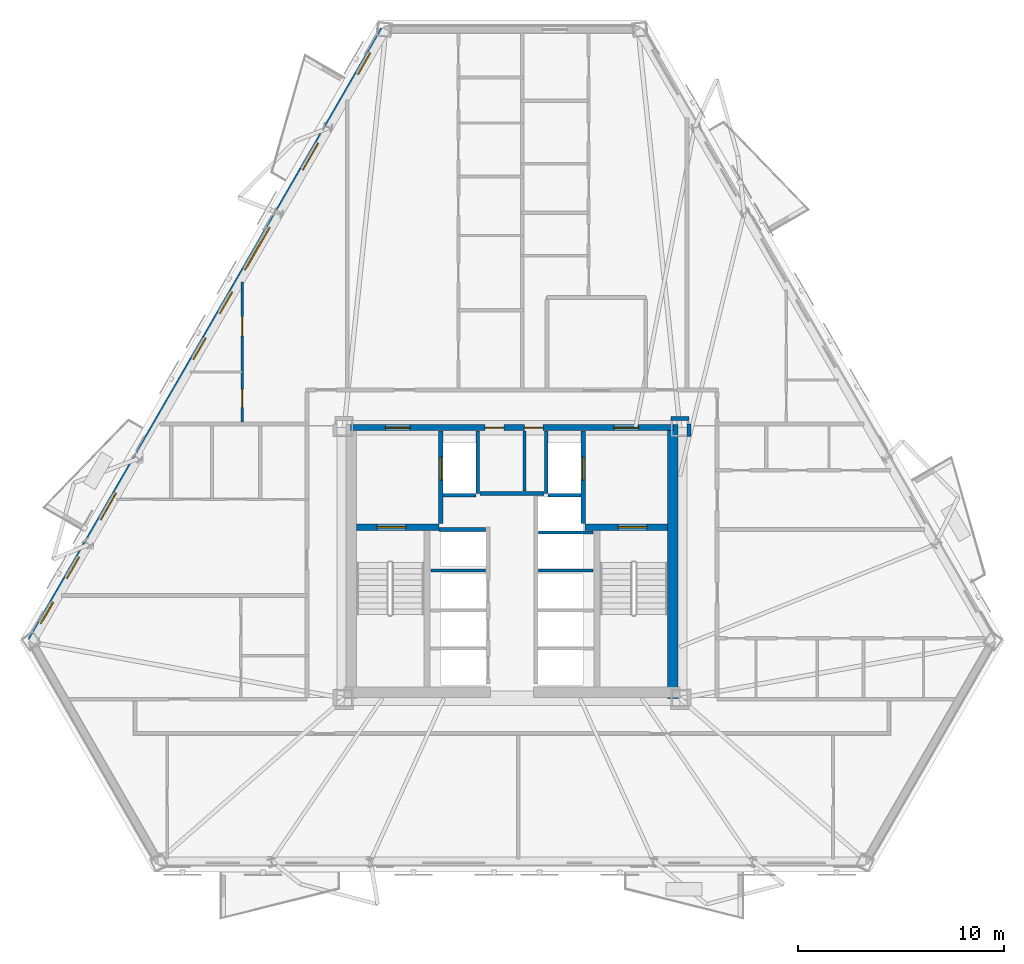
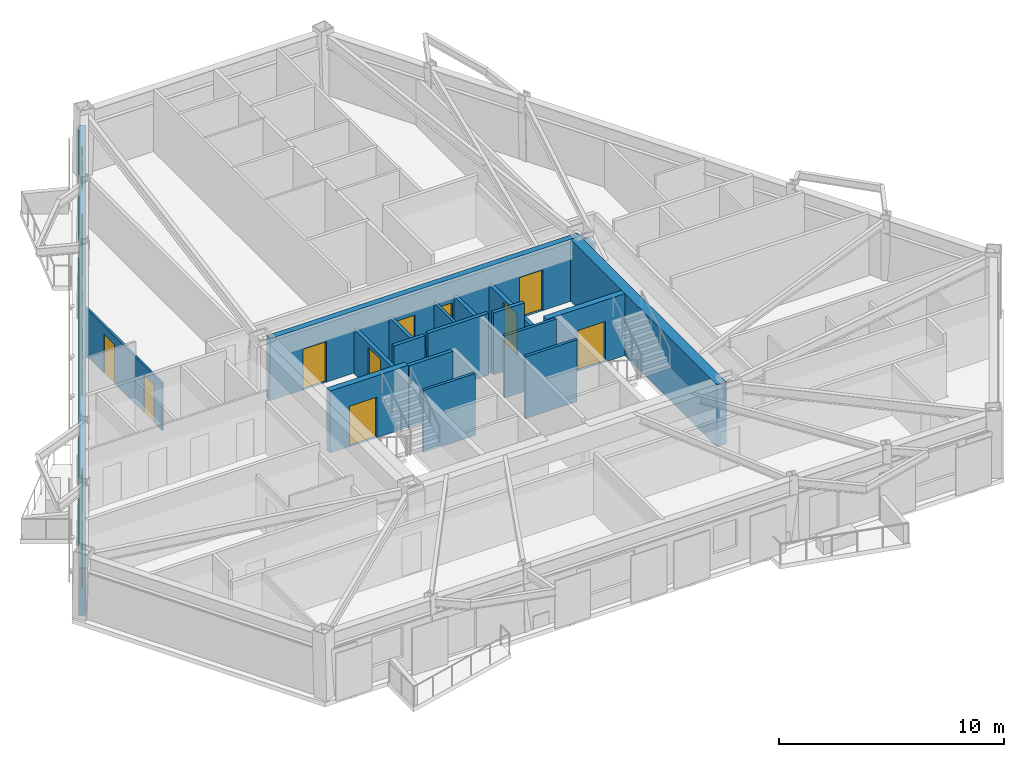
# One storey, part 4 of 11: 20 walls, 12 doors, 6 windows, 18 openings.
"""IFC4 building model written with IfcOpenShell, lengths in metres."""

from ifc_helpers import new_model, si_unit, direction, frame, frame_2d, origin, place, context, subcontext, project, spatial, rectangle, extrude, material, layer, layer_set, type_object, element, fill, save


model = new_model("IFC4")

# Units and contexts
model_context = context("Model", 3, precision=1e-05, world=origin(), true_north=direction((0.0, 1.0)))
body_context = subcontext(model_context, "Body", "Model", "MODEL_VIEW")
ifc_project = project(units=[si_unit("LENGTHUNIT", "METRE"), si_unit("AREAUNIT", "SQUARE_METRE"), si_unit("VOLUMEUNIT", "CUBIC_METRE"), si_unit("PLANEANGLEUNIT", "RADIAN"), si_unit("MASSUNIT", "GRAM", prefix="KILO")], contexts=[model_context])

# Site, building, storey
site_placement = place(None, origin())
site = spatial("IfcSite", under=ifc_project, at=site_placement, CompositionType="ELEMENT")
building_placement = place(site_placement, origin())
building = spatial("IfcBuilding", under=site, at=building_placement, Name="Oramaril Tower", CompositionType="ELEMENT")
storey_placement = place(building_placement, frame((0.0, 0.0, 89.699951171875)))
storey = spatial("IfcBuildingStorey", under=building, at=storey_placement, Name="L23", CompositionType="ELEMENT", Elevation=89.699951171875)

# Wall, openings, doors, windows
ifc_material_1 = material(Name="Warm Cream Limestone", Category="masonry")
ifc_layer_1 = layer(ifc_material_1, 0.340087890625)
ifc_layer_set_1 = layer_set([ifc_layer_1], Name="WT-EXT34")
wall_type_1 = type_object("IfcWallType", Name="WT-EXT34", PredefinedType="SOLIDWALL", material=ifc_layer_set_1)
wall_1_placement = place(storey_placement, frame((31.277587890625, 43.48095703125, 0.0), z_axis=(0.0, 0.0, 1.0), x_axis=(-0.500004029544, -0.866023077313, 0.0)))
wall_1 = element("IfcWall", 1, at=wall_1_placement, inside=storey, type_object=wall_type_1, Name="L23 Tower Limestone Facade Wall 6M", PredefinedType="SOLIDWALL", context=body_context, shape_type="SweptSolid", body=[
    extrude(rectangle(XDim=34.274658203125, YDim=0.340087890625, at=frame_2d((17.13720703125, 0.0))), origin(), (0.0, 0.0, 1.0), 2.578125),
])
opening_1_placement = place(wall_1_placement, frame((6.369384765625, 0.0, 0.0)))
opening_1 = element("IfcOpeningElement", 2, at=opening_1_placement, cuts=wall_1, Name="Opening D-L23-BAL-NW1", PredefinedType="OPENING", context=body_context, shape_type="SweptSolid", body=[
    extrude(rectangle(XDim=1.5, YDim=2.199951171875, at=frame_2d((0.75, 1.10009765625))), frame((0.0, 0.169921875, 0.0), z_axis=(0.0, -1.0, 0.0), x_axis=(1.0, 0.0, 0.0)), (0.0, 0.0, 1.0), 0.340087890625),
])
opening_2_placement = place(wall_1_placement, frame((26.000244140625, 0.0, 0.0)))
opening_2 = element("IfcOpeningElement", 3, at=opening_2_placement, cuts=wall_1, Name="Opening D-L23-BAL-NW2", PredefinedType="OPENING", context=body_context, shape_type="SweptSolid", body=[
    extrude(rectangle(XDim=1.5, YDim=2.199951171875, at=frame_2d((0.75, 1.10009765625))), frame((0.0, 0.169921875, 0.0), z_axis=(0.0, -1.0, 0.0), x_axis=(1.0, 0.0, 0.0)), (0.0, 0.0, 1.0), 0.340087890625),
])
opening_3_placement = place(wall_1_placement, frame((32.11767578125, 0.0, 0.85009765625)))
opening_3 = element("IfcOpeningElement", 4, at=opening_3_placement, cuts=wall_1, Name="Opening WN-09", PredefinedType="OPENING", context=body_context, shape_type="SweptSolid", body=[
    extrude(rectangle(XDim=1.199951171875, YDim=1.47998046875, at=frame_2d((0.60009765625, 0.739990234375))), frame((0.0, 0.169921875, 0.0), z_axis=(0.0, -1.0, 0.0), x_axis=(1.0, 0.0, 0.0)), (0.0, 0.0, 1.0), 0.340087890625),
])
opening_4_placement = place(wall_1_placement, frame((29.585205078125, 0.0, 0.85009765625)))
opening_4 = element("IfcOpeningElement", 5, at=opening_4_placement, cuts=wall_1, Name="Opening WN-09", PredefinedType="OPENING", context=body_context, shape_type="SweptSolid", body=[
    extrude(rectangle(XDim=1.199951171875, YDim=1.47998046875, at=frame_2d((0.60009765625, 0.739990234375))), frame((0.0, 0.169921875, 0.0), z_axis=(0.0, -1.0, 0.0), x_axis=(1.0, 0.0, 0.0)), (0.0, 0.0, 1.0), 0.340087890625),
])
opening_5_placement = place(wall_1_placement, frame((11.0966796875, 0.0, 0.85009765625)))
opening_5 = element("IfcOpeningElement", 6, at=opening_5_placement, cuts=wall_1, Name="Opening WN-03", PredefinedType="OPENING", context=body_context, shape_type="SweptSolid", body=[
    extrude(rectangle(XDim=2.39990234375, YDim=1.617919921875, at=frame_2d((1.199951171875, 0.80908203125))), frame((0.0, 0.169921875, 0.0), z_axis=(0.0, -1.0, 0.0), x_axis=(1.0, 0.0, 0.0)), (0.0, 0.0, 1.0), 0.340087890625),
])
opening_6_placement = place(wall_1_placement, frame((14.724365234375, 0.0, 0.85009765625)))
opening_6 = element("IfcOpeningElement", 7, at=opening_6_placement, cuts=wall_1, Name="Opening WN-09", PredefinedType="OPENING", context=body_context, shape_type="SweptSolid", body=[
    extrude(rectangle(XDim=1.199951171875, YDim=1.47998046875, at=frame_2d((0.60009765625, 0.739990234375))), frame((0.0, 0.169921875, 0.0), z_axis=(0.0, -1.0, 0.0), x_axis=(1.0, 0.0, 0.0)), (0.0, 0.0, 1.0), 0.340087890625),
])
opening_7_placement = place(wall_1_placement, frame((17.300048828125, 0.0, 0.85009765625)))
opening_7 = element("IfcOpeningElement", 8, at=opening_7_placement, cuts=wall_1, Name="Opening WN-09", PredefinedType="OPENING", context=body_context, shape_type="SweptSolid", body=[
    extrude(rectangle(XDim=1.199951171875, YDim=1.47998046875, at=frame_2d((0.60009765625, 0.739990234375))), frame((0.0, 0.169921875, 0.0), z_axis=(0.0, -1.0, 0.0), x_axis=(1.0, 0.0, 0.0)), (0.0, 0.0, 1.0), 0.340087890625),
])
opening_8_placement = place(wall_1_placement, frame((1.31982421875, 0.0, 0.85009765625)))
opening_8 = element("IfcOpeningElement", 9, at=opening_8_placement, cuts=wall_1, Name="Opening WN-09", PredefinedType="OPENING", context=body_context, shape_type="SweptSolid", body=[
    extrude(rectangle(XDim=1.199951171875, YDim=1.47998046875, at=frame_2d((0.60009765625, 0.739990234375))), frame((0.0, 0.169921875, 0.0), z_axis=(0.0, -1.0, 0.0), x_axis=(1.0, 0.0, 0.0)), (0.0, 0.0, 1.0), 0.340087890625),
])
ifc_material_2 = material(Name="Anodised Aluminium 6063-T6", Category="aluminium")
door_type_1 = type_object("IfcDoorType", Name="DT-BAL", OperationType="NOTDEFINED", PredefinedType="DOOR", material=ifc_material_2)
door_1_placement = place(opening_1_placement, origin())
door_1 = element("IfcDoor", 10, at=door_1_placement, inside=storey, type_object=door_type_1, Name="L23 Balcony Glazed Door L23-BAL-NW1", OperationType="SINGLE_SWING_RIGHT", OverallHeight=2.199951171875, OverallWidth=1.5, PredefinedType="DOOR", context=body_context, shape_type="SweptSolid", body=[
    extrude(rectangle(XDim=1.5, YDim=2.199951171875, at=frame_2d((0.75, 1.10009765625))), frame((0.0, 0.02490234375, 0.0), z_axis=(0.0, -1.0, 0.0), x_axis=(1.0, 0.0, 0.0)), (0.0, 0.0, 1.0), 0.050048828125),
])
fill(opening_1, door_1)
door_2_placement = place(opening_2_placement, origin())
door_2 = element("IfcDoor", 11, at=door_2_placement, inside=storey, type_object=door_type_1, Name="L23 Balcony Glazed Door L23-BAL-NW2", OperationType="SINGLE_SWING_LEFT", OverallHeight=2.199951171875, OverallWidth=1.5, PredefinedType="DOOR", context=body_context, shape_type="SweptSolid", body=[
    extrude(rectangle(XDim=1.5, YDim=2.199951171875, at=frame_2d((0.75, 1.10009765625))), frame((0.0, 0.02490234375, 0.0), z_axis=(0.0, -1.0, 0.0), x_axis=(1.0, 0.0, 0.0)), (0.0, 0.0, 1.0), 0.050048828125),
])
fill(opening_2, door_2)
ifc_material_3 = material(Name="Coastal Low-E Insulated Glass", Category="glass")
window_type_1 = type_object("IfcWindowType", Name="WNT-03", PartitioningType="SINGLE_PANEL", PredefinedType="WINDOW", material=ifc_material_3)
window_1_placement = place(opening_5_placement, origin())
window_1 = element("IfcWindow", 12, at=window_1_placement, inside=storey, type_object=window_type_1, Name="L23 Chicago Bay Window WN-03", OverallHeight=1.617919921875, OverallWidth=2.39990234375, PartitioningType="SINGLE_PANEL", PredefinedType="WINDOW", context=body_context, shape_type="SweptSolid", body=[
    extrude(rectangle(XDim=2.39990234375, YDim=1.617919921875, at=frame_2d((1.199951171875, 0.80908203125))), frame((0.0, 0.030029296875, 0.0), z_axis=(0.0, -1.0, 0.0), x_axis=(1.0, 0.0, 0.0)), (0.0, 0.0, 1.0), 0.06005859375),
])
fill(opening_5, window_1)
ifc_material_4 = material(Name="Coastal Low-E Insulated Glass", Category="glass")
window_type_2 = type_object("IfcWindowType", Name="WNT-09", PartitioningType="SINGLE_PANEL", PredefinedType="WINDOW", material=ifc_material_4)
window_2_placement = place(opening_3_placement, origin())
window_2 = element("IfcWindow", 13, at=window_2_placement, inside=storey, type_object=window_type_2, Name="L23 Chicago Bay Window WN-09", OverallHeight=1.47998046875, OverallWidth=1.199951171875, PartitioningType="SINGLE_PANEL", PredefinedType="WINDOW", context=body_context, shape_type="SweptSolid", body=[
    extrude(rectangle(XDim=1.199951171875, YDim=1.47998046875, at=frame_2d((0.60009765625, 0.739990234375))), frame((0.0, 0.030029296875, 0.0), z_axis=(0.0, -1.0, 0.0), x_axis=(1.0, 0.0, 0.0)), (0.0, 0.0, 1.0), 0.06005859375),
])
fill(opening_3, window_2)
window_3_placement = place(opening_4_placement, origin())
window_3 = element("IfcWindow", 14, at=window_3_placement, inside=storey, type_object=window_type_2, Name="L23 Chicago Bay Window WN-09", OverallHeight=1.47998046875, OverallWidth=1.199951171875, PartitioningType="SINGLE_PANEL", PredefinedType="WINDOW", context=body_context, shape_type="SweptSolid", body=[
    extrude(rectangle(XDim=1.199951171875, YDim=1.47998046875, at=frame_2d((0.60009765625, 0.739990234375))), frame((0.0, 0.030029296875, 0.0), z_axis=(0.0, -1.0, 0.0), x_axis=(1.0, 0.0, 0.0)), (0.0, 0.0, 1.0), 0.06005859375),
])
fill(opening_4, window_3)
window_4_placement = place(opening_6_placement, origin())
window_4 = element("IfcWindow", 15, at=window_4_placement, inside=storey, type_object=window_type_2, Name="L23 Chicago Bay Window WN-09", OverallHeight=1.47998046875, OverallWidth=1.199951171875, PartitioningType="SINGLE_PANEL", PredefinedType="WINDOW", context=body_context, shape_type="SweptSolid", body=[
    extrude(rectangle(XDim=1.199951171875, YDim=1.47998046875, at=frame_2d((0.60009765625, 0.739990234375))), frame((0.0, 0.030029296875, 0.0), z_axis=(0.0, -1.0, 0.0), x_axis=(1.0, 0.0, 0.0)), (0.0, 0.0, 1.0), 0.06005859375),
])
fill(opening_6, window_4)
window_5_placement = place(opening_7_placement, origin())
window_5 = element("IfcWindow", 16, at=window_5_placement, inside=storey, type_object=window_type_2, Name="L23 Chicago Bay Window WN-09", OverallHeight=1.47998046875, OverallWidth=1.199951171875, PartitioningType="SINGLE_PANEL", PredefinedType="WINDOW", context=body_context, shape_type="SweptSolid", body=[
    extrude(rectangle(XDim=1.199951171875, YDim=1.47998046875, at=frame_2d((0.60009765625, 0.739990234375))), frame((0.0, 0.030029296875, 0.0), z_axis=(0.0, -1.0, 0.0), x_axis=(1.0, 0.0, 0.0)), (0.0, 0.0, 1.0), 0.06005859375),
])
fill(opening_7, window_5)
window_6_placement = place(opening_8_placement, origin())
window_6 = element("IfcWindow", 17, at=window_6_placement, inside=storey, type_object=window_type_2, Name="L23 Chicago Bay Window WN-09", OverallHeight=1.47998046875, OverallWidth=1.199951171875, PartitioningType="SINGLE_PANEL", PredefinedType="WINDOW", context=body_context, shape_type="SweptSolid", body=[
    extrude(rectangle(XDim=1.199951171875, YDim=1.47998046875, at=frame_2d((0.60009765625, 0.739990234375))), frame((0.0, 0.030029296875, 0.0), z_axis=(0.0, -1.0, 0.0), x_axis=(1.0, 0.0, 0.0)), (0.0, 0.0, 1.0), 0.06005859375),
])
fill(opening_8, window_6)

# Wall, openings, doors
ifc_material_5 = material(Name="Acoustic Gypsum Board Partition")
ifc_layer_2 = layer(ifc_material_5, 0.10009765625)
ifc_layer_set_2 = layer_set([ifc_layer_2], Name="WT-PT10")
wall_type_2 = type_object("IfcWallType", Name="WT-PT10", PredefinedType="PARTITIONING", material=ifc_layer_set_2)
wall_2_placement = place(storey_placement, frame((24.39990234375, 24.4140625, 0.0), z_axis=(0.0, 0.0, 1.0), x_axis=(0.0, 1.0, 0.0)))
wall_2 = element("IfcWall", 18, at=wall_2_placement, inside=storey, type_object=wall_type_2, Name="L23 Interior Partition PT-10", PredefinedType="PARTITIONING", context=body_context, shape_type="SweptSolid", body=[
    extrude(rectangle(XDim=6.806640625, YDim=0.10009765625, at=frame_2d((3.4033203125, 0.0))), origin(), (0.0, 0.0, 1.0), 2.578125),
])
opening_9_placement = place(wall_2_placement, frame((0.7109375, 0.0, 0.0)))
opening_9 = element("IfcOpeningElement", 19, at=opening_9_placement, cuts=wall_2, Name="Opening D-L23-23", PredefinedType="OPENING", context=body_context, shape_type="SweptSolid", body=[
    extrude(rectangle(XDim=0.8798828125, YDim=2.080078125, at=frame_2d((0.43994140625, 1.0400390625))), frame((0.0, 0.050048828125, 0.0), z_axis=(0.0, -1.0, 0.0), x_axis=(1.0, 0.0, 0.0)), (0.0, 0.0, 1.0), 0.10009765625),
])
opening_10_placement = place(wall_2_placement, frame((4.177978515625, 0.0, 0.0)))
opening_10 = element("IfcOpeningElement", 20, at=opening_10_placement, cuts=wall_2, Name="Opening D-L23-24", PredefinedType="OPENING", context=body_context, shape_type="SweptSolid", body=[
    extrude(rectangle(XDim=0.949951171875, YDim=2.10009765625, at=frame_2d((0.47509765625, 1.050048828125))), frame((0.0, 0.050048828125, 0.0), z_axis=(0.0, -1.0, 0.0), x_axis=(1.0, 0.0, 0.0)), (0.0, 0.0, 1.0), 0.10009765625),
])
ifc_material_6 = material(Name="FSC Brazilian Freijo Hardwood", Category="wood")
door_type_2 = type_object("IfcDoorType", Name="DT-BATH", OperationType="NOTDEFINED", PredefinedType="DOOR", material=ifc_material_6)
door_3_placement = place(opening_9_placement, origin())
door_3 = element("IfcDoor", 21, at=door_3_placement, inside=storey, type_object=door_type_2, Name="L23 Flat L23-U7 Bathroom Door D-L23-23", OperationType="SINGLE_SWING_LEFT", OverallHeight=2.080078125, OverallWidth=0.8798828125, PredefinedType="DOOR", context=body_context, shape_type="SweptSolid", body=[
    extrude(rectangle(XDim=0.8798828125, YDim=2.080078125, at=frame_2d((0.43994140625, 1.0400390625))), frame((0.0, 0.02490234375, 0.0), z_axis=(0.0, -1.0, 0.0), x_axis=(1.0, 0.0, 0.0)), (0.0, 0.0, 1.0), 0.050048828125),
])
fill(opening_9, door_3)
ifc_material_7 = material(Name="FSC Brazilian Freijo Hardwood", Category="wood")
door_type_3 = type_object("IfcDoorType", Name="DT-STDY", OperationType="NOTDEFINED", PredefinedType="DOOR", material=ifc_material_7)
door_4_placement = place(opening_10_placement, origin())
door_4 = element("IfcDoor", 22, at=door_4_placement, inside=storey, type_object=door_type_3, Name="L23 Flat L23-U7 Kitchen Door D-L23-24", OperationType="SINGLE_SWING_RIGHT", OverallHeight=2.10009765625, OverallWidth=0.949951171875, PredefinedType="DOOR", context=body_context, shape_type="SweptSolid", body=[
    extrude(rectangle(XDim=0.949951171875, YDim=2.10009765625, at=frame_2d((0.47509765625, 1.050048828125))), frame((0.0, 0.02490234375, 0.0), z_axis=(0.0, -1.0, 0.0), x_axis=(1.0, 0.0, 0.0)), (0.0, 0.0, 1.0), 0.050048828125),
])
fill(opening_10, door_4)

# Walls
ifc_material_8 = material(Name="Acoustic Gypsum Board Partition")
ifc_layer_3 = layer(ifc_material_8, 0.139892578125)
ifc_layer_set_3 = layer_set([ifc_layer_3], Name="WT-PT14")
wall_type_3 = type_object("IfcWallType", Name="WT-PT14", PredefinedType="PARTITIONING", material=ifc_layer_set_3)
for number, where, z_axis, x_axis, name in (
    (23, (33.56005859375, 17.199951171875, 0.0), (0.0, 0.0, 1.0), (1.0, 0.0, 0.0), "L23 West Lift Divider"),
    (24, (38.780029296875, 17.199951171875, 0.0), (0.0, 0.0, 1.0), (1.0, 0.0, 0.0), "L23 East Lift Divider"),
    (25, (38.780029296875, 19.050048828125, 0.0), (0.0, 0.0, 1.0), (1.0, 0.0, 0.0), "L23 East Lift Divider"),
):
    element("IfcWall", number, at=place(storey_placement, frame(where, z_axis=z_axis, x_axis=x_axis)), inside=storey, type_object=wall_type_3, Name=name, PredefinedType="PARTITIONING", context=body_context, shape_type="SweptSolid", body=[
        extrude(rectangle(XDim=2.659912109375, YDim=0.139892578125, at=frame_2d((1.330078125, 0.0))), origin(), (0.0, 0.0, 1.0), 3.360107421875),
    ])
wall_3_placement = place(storey_placement, frame((38.110107421875, 21.06005859375, 0.0), z_axis=(0.0, 0.0, 1.0), x_axis=(0.0, 1.0, 0.0)))
element("IfcWall", 26, at=wall_3_placement, inside=storey, type_object=wall_type_3, Name="L23 Core Service Divider", PredefinedType="PARTITIONING", context=body_context, shape_type="SweptSolid", body=[
    extrude(rectangle(XDim=2.919921875, YDim=0.139892578125, at=frame_2d((1.4599609375, 0.0))), origin(), (0.0, 0.0, 1.0), 2.400146484375),
])
ifc_material_9 = material(Name="Autoclaved Cellular Concrete Block", Category="concrete")
ifc_layer_4 = layer(ifc_material_9, 0.179931640625)
ifc_layer_set_4 = layer_set([ifc_layer_4], Name="WT-PT18")
wall_type_4 = type_object("IfcWallType", Name="WT-PT18", PredefinedType="PARTITIONING", material=ifc_layer_set_4)
wall_4_placement = place(storey_placement, frame((35.840087890625, 20.9599609375, 0.0), z_axis=(0.0, 0.0, 1.0), x_axis=(0.0, 1.0, 0.0)))
element("IfcWall", 27, at=wall_4_placement, inside=storey, type_object=wall_type_4, Name="L23 FL-1 East Shaft Wall", PredefinedType="PARTITIONING", context=body_context, shape_type="SweptSolid", body=[
    extrude(rectangle(XDim=3.02001953125, YDim=0.179931640625, at=frame_2d((1.510009765625, 0.0))), origin(), (0.0, 0.0, 1.0), 2.400146484375),
])
wall_5_placement = place(storey_placement, frame((34.159912109375, 20.860107421875, 0.0), z_axis=(0.0, 0.0, 1.0), x_axis=(1.0, 0.0, 0.0)))
element("IfcWall", 28, at=wall_5_placement, inside=storey, type_object=wall_type_4, Name="L23 FL-1 South Shaft Wall", PredefinedType="PARTITIONING", context=body_context, shape_type="SweptSolid", body=[
    extrude(rectangle(XDim=1.580078125, YDim=0.179931640625, at=frame_2d((0.7900390625, 0.0))), origin(), (0.0, 0.0, 1.0), 3.360107421875),
])
wall_6_placement = place(storey_placement, frame((39.159912109375, 20.9599609375, 0.0), z_axis=(0.0, 0.0, 1.0), x_axis=(0.0, 1.0, 0.0)))
element("IfcWall", 29, at=wall_6_placement, inside=storey, type_object=wall_type_4, Name="L23 FL-2 West Shaft Wall", PredefinedType="PARTITIONING", context=body_context, shape_type="SweptSolid", body=[
    extrude(rectangle(XDim=3.02001953125, YDim=0.179931640625, at=frame_2d((1.510009765625, 0.0))), origin(), (0.0, 0.0, 1.0), 2.400146484375),
])
wall_7_placement = place(storey_placement, frame((39.260009765625, 20.860107421875, 0.0), z_axis=(0.0, 0.0, 1.0), x_axis=(1.0, 0.0, 0.0)))
element("IfcWall", 30, at=wall_7_placement, inside=storey, type_object=wall_type_4, Name="L23 FL-2 South Shaft Wall", PredefinedType="PARTITIONING", context=body_context, shape_type="SweptSolid", body=[
    extrude(rectangle(XDim=1.580078125, YDim=0.179931640625, at=frame_2d((0.7900390625, 0.0))), origin(), (0.0, 0.0, 1.0), 3.360107421875),
])
wall_8_placement = place(storey_placement, frame((33.949951171875, 19.199951171875, 0.0), z_axis=(0.0, 0.0, 1.0), x_axis=(1.0, 0.0, 0.0)))
element("IfcWall", 31, at=wall_8_placement, inside=storey, type_object=wall_type_4, Name="L23 High-Rise Lift H1 North Shaft Wall", PredefinedType="PARTITIONING", context=body_context, shape_type="SweptSolid", body=[
    extrude(rectangle(XDim=2.27001953125, YDim=0.179931640625, at=frame_2d((1.135009765625, 0.0))), origin(), (0.0, 0.0, 1.0), 3.360107421875),
])
wall_9_placement = place(storey_placement, frame((35.949951171875, 20.949951171875, 0.0), z_axis=(0.0, 0.0, 1.0), x_axis=(1.0, 0.0, 0.0)))
element("IfcWall", 32, at=wall_9_placement, inside=storey, type_object=wall_type_4, Name="L23 Lift Lobby North Partition", PredefinedType="PARTITIONING", context=body_context, shape_type="SweptSolid", body=[
    extrude(rectangle(XDim=3.10009765625, YDim=0.179931640625, at=frame_2d((1.550048828125, 0.0))), origin(), (0.0, 0.0, 1.0), 3.360107421875),
])
wall_10_placement = place(storey_placement, frame((45.2099609375, 24.590087890625, 0.0), z_axis=(0.0, 0.0, 1.0), x_axis=(1.0, 0.0, 0.0)))
element("IfcWall", 33, at=wall_10_placement, inside=storey, type_object=wall_type_4, Name="L23 Interior Partition PT-18", PredefinedType="PARTITIONING", context=body_context, shape_type="SweptSolid", body=[
    extrude(rectangle(XDim=0.880126953125, YDim=0.179931640625, at=frame_2d((0.43994140625, 0.0))), origin(), (0.0, 0.0, 1.0), 2.81396484375),
])
wall_11_placement = place(storey_placement, frame((46.090087890625, 23.705078125, 0.0), z_axis=(0.0, 0.0, 1.0), x_axis=(0.0, 1.0, 0.0)))
element("IfcWall", 34, at=wall_11_placement, inside=storey, type_object=wall_type_4, Name="L23 Interior Partition PT-18", PredefinedType="PARTITIONING", context=body_context, shape_type="SweptSolid", body=[
    extrude(rectangle(XDim=0.614990234375, YDim=0.179931640625, at=frame_2d((0.3076171875, 0.0))), origin(), (0.0, 0.0, 1.0), 2.946044921875),
])

# Wall, openings, doors
ifc_material_10 = material(Name="Concrete C50/60", Category="concrete")
ifc_layer_5 = layer(ifc_material_10, 0.300048828125)
ifc_layer_set_5 = layer_set([ifc_layer_5], Name="WT-SH30")
wall_type_5 = type_object("IfcWallType", Name="WT-SH30", PredefinedType="SHEAR", material=ifc_layer_set_5)
wall_12_placement = place(storey_placement, frame((29.64990234375, 24.14990234375, 0.0), z_axis=(0.0, 0.0, 1.0), x_axis=(1.0, 0.0, 0.0)))
wall_12 = element("IfcWall", 35, at=wall_12_placement, inside=storey, type_object=wall_type_5, Name="L23 Core Shear Wall CW-N", PredefinedType="SHEAR", context=body_context, shape_type="SweptSolid", body=[
    extrude(rectangle(XDim=15.7001953125, YDim=0.300048828125, at=frame_2d((7.85009765625, 0.0))), origin(), (0.0, 0.0, 1.0), 3.360107421875),
])
opening_11_placement = place(wall_12_placement, frame((1.699951171875, 0.0, 0.0)))
opening_11 = element("IfcOpeningElement", 36, at=opening_11_placement, cuts=wall_12, Name="Opening D-L23-FFL1", PredefinedType="OPENING", context=body_context, shape_type="SweptSolid", body=[
    extrude(rectangle(XDim=1.199951171875, YDim=2.199951171875, at=frame_2d((0.60009765625, 1.10009765625))), frame((0.0, 0.14990234375, 0.0), z_axis=(0.0, -1.0, 0.0), x_axis=(1.0, 0.0, 0.0)), (0.0, 0.0, 1.0), 0.300048828125),
])
opening_12_placement = place(wall_12_placement, frame((12.800048828125, 0.0, 0.0)))
opening_12 = element("IfcOpeningElement", 37, at=opening_12_placement, cuts=wall_12, Name="Opening D-L23-FFL2", PredefinedType="OPENING", context=body_context, shape_type="SweptSolid", body=[
    extrude(rectangle(XDim=1.199951171875, YDim=2.199951171875, at=frame_2d((0.60009765625, 1.10009765625))), frame((0.0, 0.14990234375, 0.0), z_axis=(0.0, -1.0, 0.0), x_axis=(1.0, 0.0, 0.0)), (0.0, 0.0, 1.0), 0.300048828125),
])
opening_13_placement = place(wall_12_placement, frame((6.550048828125, 0.0, 0.0)))
opening_13 = element("IfcOpeningElement", 38, at=opening_13_placement, cuts=wall_12, Name="Opening D-L23-SV1", PredefinedType="OPENING", context=body_context, shape_type="SweptSolid", body=[
    extrude(rectangle(XDim=0.89990234375, YDim=2.050048828125, at=frame_2d((0.449951171875, 1.02490234375))), frame((0.0, 0.14990234375, 0.0), z_axis=(0.0, -1.0, 0.0), x_axis=(1.0, 0.0, 0.0)), (0.0, 0.0, 1.0), 0.300048828125),
])
opening_14_placement = place(wall_12_placement, frame((8.449951171875, 0.0, 0.0)))
opening_14 = element("IfcOpeningElement", 39, at=opening_14_placement, cuts=wall_12, Name="Opening D-L23-SV2", PredefinedType="OPENING", context=body_context, shape_type="SweptSolid", body=[
    extrude(rectangle(XDim=0.89990234375, YDim=2.050048828125, at=frame_2d((0.449951171875, 1.02490234375))), frame((0.0, 0.14990234375, 0.0), z_axis=(0.0, -1.0, 0.0), x_axis=(1.0, 0.0, 0.0)), (0.0, 0.0, 1.0), 0.300048828125),
])
ifc_material_11 = material(Name="Painted Galvanised Steel", Category="steel")
door_type_4 = type_object("IfcDoorType", Name="DT-FFL", OperationType="NOTDEFINED", PredefinedType="DOOR", material=ifc_material_11)
door_5_placement = place(opening_11_placement, origin())
door_5 = element("IfcDoor", 40, at=door_5_placement, inside=storey, type_object=door_type_4, Name="L23 Firefighting Lobby 1 Fire Door", OperationType="SINGLE_SWING_LEFT", OverallHeight=2.199951171875, OverallWidth=1.199951171875, PredefinedType="DOOR", context=body_context, shape_type="SweptSolid", body=[
    extrude(rectangle(XDim=1.199951171875, YDim=2.199951171875, at=frame_2d((0.60009765625, 1.10009765625))), frame((0.0, 0.02490234375, 0.0), z_axis=(0.0, -1.0, 0.0), x_axis=(1.0, 0.0, 0.0)), (0.0, 0.0, 1.0), 0.050048828125),
])
fill(opening_11, door_5)
door_6_placement = place(opening_12_placement, origin())
door_6 = element("IfcDoor", 41, at=door_6_placement, inside=storey, type_object=door_type_4, Name="L23 Firefighting Lobby 2 Fire Door", OperationType="SINGLE_SWING_RIGHT", OverallHeight=2.199951171875, OverallWidth=1.199951171875, PredefinedType="DOOR", context=body_context, shape_type="SweptSolid", body=[
    extrude(rectangle(XDim=1.199951171875, YDim=2.199951171875, at=frame_2d((0.60009765625, 1.10009765625))), frame((0.0, 0.02490234375, 0.0), z_axis=(0.0, -1.0, 0.0), x_axis=(1.0, 0.0, 0.0)), (0.0, 0.0, 1.0), 0.050048828125),
])
fill(opening_12, door_6)
ifc_material_12 = material(Name="Painted Galvanised Steel", Category="steel")
door_type_5 = type_object("IfcDoorType", Name="DT-SVC", OperationType="NOTDEFINED", PredefinedType="DOOR", material=ifc_material_12)
door_7_placement = place(opening_13_placement, origin())
door_7 = element("IfcDoor", 42, at=door_7_placement, inside=storey, type_object=door_type_5, Name="L23 Core Service Store 1 Door", OperationType="SINGLE_SWING_LEFT", OverallHeight=2.050048828125, OverallWidth=0.89990234375, PredefinedType="DOOR", context=body_context, shape_type="SweptSolid", body=[
    extrude(rectangle(XDim=0.89990234375, YDim=2.050048828125, at=frame_2d((0.449951171875, 1.02490234375))), frame((0.0, 0.02490234375, 0.0), z_axis=(0.0, -1.0, 0.0), x_axis=(1.0, 0.0, 0.0)), (0.0, 0.0, 1.0), 0.050048828125),
])
fill(opening_13, door_7)
door_8_placement = place(opening_14_placement, origin())
door_8 = element("IfcDoor", 43, at=door_8_placement, inside=storey, type_object=door_type_5, Name="L23 Core Service Store 2 Door", OperationType="SINGLE_SWING_RIGHT", OverallHeight=2.050048828125, OverallWidth=0.89990234375, PredefinedType="DOOR", context=body_context, shape_type="SweptSolid", body=[
    extrude(rectangle(XDim=0.89990234375, YDim=2.050048828125, at=frame_2d((0.449951171875, 1.02490234375))), frame((0.0, 0.02490234375, 0.0), z_axis=(0.0, -1.0, 0.0), x_axis=(1.0, 0.0, 0.0)), (0.0, 0.0, 1.0), 0.050048828125),
])
fill(opening_14, door_8)

# Wall, opening, door
wall_13_placement = place(storey_placement, frame((29.93994140625, 19.31005859375, 0.0), z_axis=(0.0, 0.0, 1.0), x_axis=(1.0, 0.0, 0.0)))
wall_13 = element("IfcWall", 44, at=wall_13_placement, inside=storey, type_object=wall_type_5, Name="L23 Core Shear Wall CW-ST1N", PredefinedType="SHEAR", context=body_context, shape_type="SweptSolid", body=[
    extrude(rectangle(XDim=4.010009765625, YDim=0.300048828125, at=frame_2d((2.0048828125, 0.0))), origin(), (0.0, 0.0, 1.0), 3.360107421875),
])
opening_15_placement = place(wall_13_placement, frame((1.010009765625, 0.0, 0.0)))
opening_15 = element("IfcOpeningElement", 45, at=opening_15_placement, cuts=wall_13, Name="Opening D-L23-ST1", PredefinedType="OPENING", context=body_context, shape_type="SweptSolid", body=[
    extrude(rectangle(XDim=1.39990234375, YDim=2.199951171875, at=frame_2d((0.699951171875, 1.10009765625))), frame((0.0, 0.14990234375, 0.0), z_axis=(0.0, -1.0, 0.0), x_axis=(1.0, 0.0, 0.0)), (0.0, 0.0, 1.0), 0.300048828125),
])
ifc_material_13 = material(Name="Painted Galvanised Steel", Category="steel")
door_type_6 = type_object("IfcDoorType", Name="DT-ST", OperationType="NOTDEFINED", PredefinedType="DOOR", material=ifc_material_13)
door_9_placement = place(opening_15_placement, origin())
door_9 = element("IfcDoor", 46, at=door_9_placement, inside=storey, type_object=door_type_6, Name="L23 Protected Stair ST-1 Fire Door", OperationType="SINGLE_SWING_LEFT", OverallHeight=2.199951171875, OverallWidth=1.39990234375, PredefinedType="DOOR", context=body_context, shape_type="SweptSolid", body=[
    extrude(rectangle(XDim=1.39990234375, YDim=2.199951171875, at=frame_2d((0.699951171875, 1.10009765625))), frame((0.0, 0.02490234375, 0.0), z_axis=(0.0, -1.0, 0.0), x_axis=(1.0, 0.0, 0.0)), (0.0, 0.0, 1.0), 0.050048828125),
])
fill(opening_15, door_9)

wall_14_placement = place(storey_placement, frame((41.050048828125, 19.31005859375, 0.0), z_axis=(0.0, 0.0, 1.0), x_axis=(1.0, 0.0, 0.0)))
wall_14 = element("IfcWall", 47, at=wall_14_placement, inside=storey, type_object=wall_type_5, Name="L23 Core Shear Wall CW-ST2N", PredefinedType="SHEAR", context=body_context, shape_type="SweptSolid", body=[
    extrude(rectangle(XDim=4.010009765625, YDim=0.300048828125, at=frame_2d((2.0048828125, 0.0))), origin(), (0.0, 0.0, 1.0), 3.360107421875),
])
opening_16_placement = place(wall_14_placement, frame((1.60009765625, 0.0, 0.0)))
opening_16 = element("IfcOpeningElement", 48, at=opening_16_placement, cuts=wall_14, Name="Opening D-L23-ST2", PredefinedType="OPENING", context=body_context, shape_type="SweptSolid", body=[
    extrude(rectangle(XDim=1.39990234375, YDim=2.199951171875, at=frame_2d((0.699951171875, 1.10009765625))), frame((0.0, 0.14990234375, 0.0), z_axis=(0.0, -1.0, 0.0), x_axis=(1.0, 0.0, 0.0)), (0.0, 0.0, 1.0), 0.300048828125),
])
door_10_placement = place(opening_16_placement, origin())
door_10 = element("IfcDoor", 49, at=door_10_placement, inside=storey, type_object=door_type_6, Name="L23 Protected Stair ST-2 Fire Door", OperationType="SINGLE_SWING_RIGHT", OverallHeight=2.199951171875, OverallWidth=1.39990234375, PredefinedType="DOOR", context=body_context, shape_type="SweptSolid", body=[
    extrude(rectangle(XDim=1.39990234375, YDim=2.199951171875, at=frame_2d((0.699951171875, 1.10009765625))), frame((0.0, 0.02490234375, 0.0), z_axis=(0.0, -1.0, 0.0), x_axis=(1.0, 0.0, 0.0)), (0.0, 0.0, 1.0), 0.050048828125),
])
fill(opening_16, door_10)

# Wall
ifc_material_14 = material(Name="Concrete C50/60", Category="concrete")
ifc_layer_6 = layer(ifc_material_14, 0.5)
ifc_layer_set_6 = layer_set([ifc_layer_6], Name="WT-SH50")
wall_type_6 = type_object("IfcWallType", Name="WT-SH50", PredefinedType="SHEAR", material=ifc_layer_set_6)
wall_15_placement = place(storey_placement, frame((45.31005859375, 11.0, 0.0), z_axis=(0.0, 0.0, 1.0), x_axis=(0.0, 1.0, 0.0)))
element("IfcWall", 50, at=wall_15_placement, inside=storey, type_object=wall_type_6, Name="L23 Core Shear Wall CW-E", PredefinedType="SHEAR", context=body_context, shape_type="SweptSolid", body=[
    extrude(rectangle(XDim=13.300048828125, YDim=0.5, at=frame_2d((6.64990234375, 0.0))), origin(), (0.0, 0.0, 1.0), 3.360107421875),
])

# Wall, opening, door
ifc_material_15 = material(Name="Autoclaved Cellular Concrete Block", Category="concrete")
ifc_layer_7 = layer(ifc_material_15, 0.199951171875)
ifc_layer_set_7 = layer_set([ifc_layer_7], Name="WT-SHF20")
wall_type_7 = type_object("IfcWallType", Name="WT-SHF20", PredefinedType="PARTITIONING", material=ifc_layer_set_7)
wall_16_placement = place(storey_placement, frame((34.0400390625, 19.47998046875, 0.0), z_axis=(0.0, 0.0, 1.0), x_axis=(0.0, 1.0, 0.0)))
wall_16 = element("IfcWall", 51, at=wall_16_placement, inside=storey, type_object=wall_type_7, Name="L23 FL-1 Lobby Shaft Wall", PredefinedType="PARTITIONING", context=body_context, shape_type="SweptSolid", body=[
    extrude(rectangle(XDim=4.5, YDim=0.199951171875, at=frame_2d((2.25, 0.0))), origin(), (0.0, 0.0, 1.0), 2.400146484375),
])
opening_17_placement = place(wall_16_placement, frame((2.1201171875, 0.0, 0.0)))
opening_17 = element("IfcOpeningElement", 52, at=opening_17_placement, cuts=wall_16, Name="Opening LD-L23-FL-1", PredefinedType="OPENING", context=body_context, shape_type="SweptSolid", body=[
    extrude(rectangle(XDim=1.10009765625, YDim=2.199951171875, at=frame_2d((0.550048828125, 1.10009765625))), frame((0.0, 0.10009765625, 0.0), z_axis=(0.0, -1.0, 0.0), x_axis=(1.0, 0.0, 0.0)), (0.0, 0.0, 1.0), 0.199951171875),
])
ifc_material_16 = material(Name="Stainless Steel 316L", Category="steel")
door_type_7 = type_object("IfcDoorType", Name="DT-LD1", OperationType="NOTDEFINED", PredefinedType="DOOR", material=ifc_material_16)
door_11_placement = place(opening_17_placement, origin())
door_11 = element("IfcDoor", 53, at=door_11_placement, inside=storey, type_object=door_type_7, Name="L23 Lift FL-1 Sliding Landing Door", OperationType="SLIDING_TO_LEFT", OverallHeight=2.199951171875, OverallWidth=1.10009765625, PredefinedType="DOOR", context=body_context, shape_type="SweptSolid", body=[
    extrude(rectangle(XDim=1.10009765625, YDim=2.199951171875, at=frame_2d((0.550048828125, 1.10009765625))), frame((0.0, 0.02490234375, 0.0), z_axis=(0.0, -1.0, 0.0), x_axis=(1.0, 0.0, 0.0)), (0.0, 0.0, 1.0), 0.050048828125),
])
fill(opening_17, door_11)

wall_17_placement = place(storey_placement, frame((40.9599609375, 19.47998046875, 0.0), z_axis=(0.0, 0.0, 1.0), x_axis=(0.0, 1.0, 0.0)))
wall_17 = element("IfcWall", 54, at=wall_17_placement, inside=storey, type_object=wall_type_7, Name="L23 FL-2 Lobby Shaft Wall", PredefinedType="PARTITIONING", context=body_context, shape_type="SweptSolid", body=[
    extrude(rectangle(XDim=4.5, YDim=0.199951171875, at=frame_2d((2.25, 0.0))), origin(), (0.0, 0.0, 1.0), 2.400146484375),
])
opening_18_placement = place(wall_17_placement, frame((2.1201171875, 0.0, 0.0)))
opening_18 = element("IfcOpeningElement", 55, at=opening_18_placement, cuts=wall_17, Name="Opening LD-L23-FL-2", PredefinedType="OPENING", context=body_context, shape_type="SweptSolid", body=[
    extrude(rectangle(XDim=1.10009765625, YDim=2.199951171875, at=frame_2d((0.550048828125, 1.10009765625))), frame((0.0, 0.10009765625, 0.0), z_axis=(0.0, -1.0, 0.0), x_axis=(1.0, 0.0, 0.0)), (0.0, 0.0, 1.0), 0.199951171875),
])
door_12_placement = place(opening_18_placement, origin())
door_12 = element("IfcDoor", 56, at=door_12_placement, inside=storey, type_object=door_type_7, Name="L23 Lift FL-2 Sliding Landing Door", OperationType="SLIDING_TO_RIGHT", OverallHeight=2.199951171875, OverallWidth=1.10009765625, PredefinedType="DOOR", context=body_context, shape_type="SweptSolid", body=[
    extrude(rectangle(XDim=1.10009765625, YDim=2.199951171875, at=frame_2d((0.550048828125, 1.10009765625))), frame((0.0, 0.02490234375, 0.0), z_axis=(0.0, -1.0, 0.0), x_axis=(1.0, 0.0, 0.0)), (0.0, 0.0, 1.0), 0.050048828125),
])
fill(opening_18, door_12)

save(model, "model.ifc")
